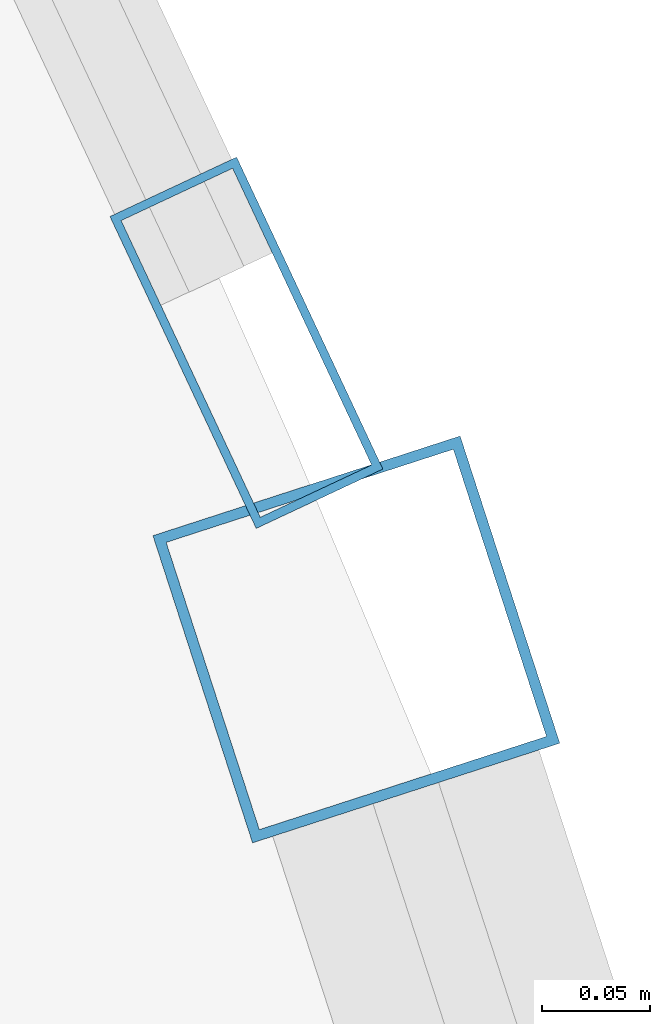
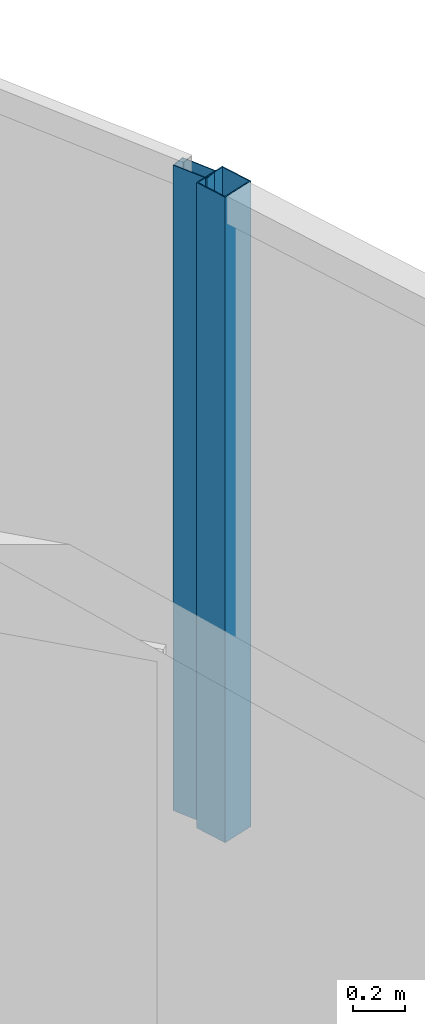
# One storey, part 18 of 34: 2 members, 2 elements without a shape of their own.
"""IFC4 building model written with IfcOpenShell, lengths in metres."""

from ifc_helpers import new_model, si_unit, direction, frame, origin, origin_2d, place, context, subcontext, project, spatial, hollow_rectangle, extrude, material, layer, layer_set, material_profile, profile_set, type_object, element, aggregate, save


model = new_model("IFC4")

# Units and contexts
model_context = context("Model", 3, precision=1e-05, world=origin(), true_north=direction((0.0, 1.0)))
body_context = subcontext(model_context, "Body", "Model", "MODEL_VIEW")
ifc_project = project(units=[si_unit("LENGTHUNIT", "METRE"), si_unit("AREAUNIT", "SQUARE_METRE"), si_unit("VOLUMEUNIT", "CUBIC_METRE"), si_unit("PLANEANGLEUNIT", "RADIAN"), si_unit("MASSUNIT", "GRAM", prefix="KILO")], contexts=[model_context])

# Site, building, storey
site_placement = place(None, origin())
site = spatial("IfcSite", under=ifc_project, at=site_placement, CompositionType="ELEMENT")
building_placement = place(site_placement, origin())
building = spatial("IfcBuilding", under=site, at=building_placement, Name="Orvanel Arch Residences", CompositionType="ELEMENT")
storey_placement = place(building_placement, frame((0.0, 0.0, 199.699951171875)))
storey = spatial("IfcBuildingStorey", under=building, at=storey_placement, Name="L56", CompositionType="ELEMENT", Elevation=199.699951171875)

# Curtain wall, member
ifc_material = material(Name="Bronze-anodised aluminium AA6063-T6", Category="aluminium")
ifc_layer_1 = layer(ifc_material, 0.18994140625)
ifc_layer_set_1 = layer_set([ifc_layer_1], Name="Bronze-anodised aluminium AA6063-T6")
curtain_wall_type_1 = type_object("IfcCurtainWallType", Name="CW5-CRN-SYS", PredefinedType="NOTDEFINED", material=ifc_layer_set_1)
curtain_wall_1_placement = place(storey_placement, origin())
curtain_wall_1 = element("IfcCurtainWall", 1, at=curtain_wall_1_placement, inside=storey, type_object=curtain_wall_type_1, Name="L56 CW5-CRN-SYS Unitised Curtain Wall", PredefinedType="NOTDEFINED")
ifc_material_profile_1 = material_profile(ifc_material, hollow_rectangle(XDim=0.14990234375, YDim=0.14990234375, WallThickness=0.0048828125, at=origin_2d()), Name="ALU150x150x5")
ifc_profile_set_1 = profile_set([ifc_material_profile_1], Name="Bronze-anodised aluminium AA6063-T6")
member_type_1 = type_object("IfcMemberType", Name="MUL-150x150", PredefinedType="MULLION", material=ifc_profile_set_1)
member_1_placement = place(storey_placement, frame((54.521240234375, 14.921630859375, 0.0), z_axis=(0.0, 0.0, 1.0), x_axis=(-0.951217039439, -0.308522517622, 0.0)))
member_1 = element("IfcMember", 2, at=member_1_placement, type_object=member_type_1, Name="CW-S5 mullion 2", PredefinedType="MULLION", context=body_context, shape_type="SweptSolid", body=[
    extrude(hollow_rectangle(XDim=0.14990234375, YDim=0.14990234375, WallThickness=0.0048828125, at=origin_2d()), origin(), (0.0, 0.0, 1.0), 3.06005859375),
])
aggregate(curtain_wall_1, [member_1])

ifc_layer_2 = layer(ifc_material, 0.175048828125)
ifc_layer_set_2 = layer_set([ifc_layer_2], Name="Bronze-anodised aluminium AA6063-T6")
curtain_wall_type_2 = type_object("IfcCurtainWallType", Name="CW4-HI-SYS", PredefinedType="NOTDEFINED", material=ifc_layer_set_2)
curtain_wall_2_placement = place(storey_placement, origin())
curtain_wall_2 = element("IfcCurtainWall", 3, at=curtain_wall_2_placement, inside=storey, type_object=curtain_wall_type_2, Name="L56 CW4-HI-SYS Unitised Curtain Wall", PredefinedType="NOTDEFINED")
ifc_material_profile_2 = material_profile(ifc_material, hollow_rectangle(XDim=0.06494140625, YDim=0.159912109375, WallThickness=0.00390625, at=origin_2d()), Name="ALU160x65x4")
ifc_profile_set_2 = profile_set([ifc_material_profile_2], Name="Bronze-anodised aluminium AA6063-T6")
member_type_2 = type_object("IfcMemberType", Name="MUL-160x65", PredefinedType="MULLION", material=ifc_profile_set_2)
member_2_placement = place(storey_placement, frame((54.47021484375, 15.059326171875, 0.0), z_axis=(0.0, 0.0, 1.0), x_axis=(-0.905430980596, -0.424493509228, 0.0)))
member_2 = element("IfcMember", 4, at=member_2_placement, type_object=member_type_2, Name="CW-S4 mullion 1", PredefinedType="MULLION", context=body_context, shape_type="SweptSolid", body=[
    extrude(hollow_rectangle(XDim=0.06494140625, YDim=0.159912109375, WallThickness=0.00390625, at=origin_2d()), origin(), (0.0, 0.0, 1.0), 3.06005859375),
])
aggregate(curtain_wall_2, [member_2])

save(model, "model.ifc")
